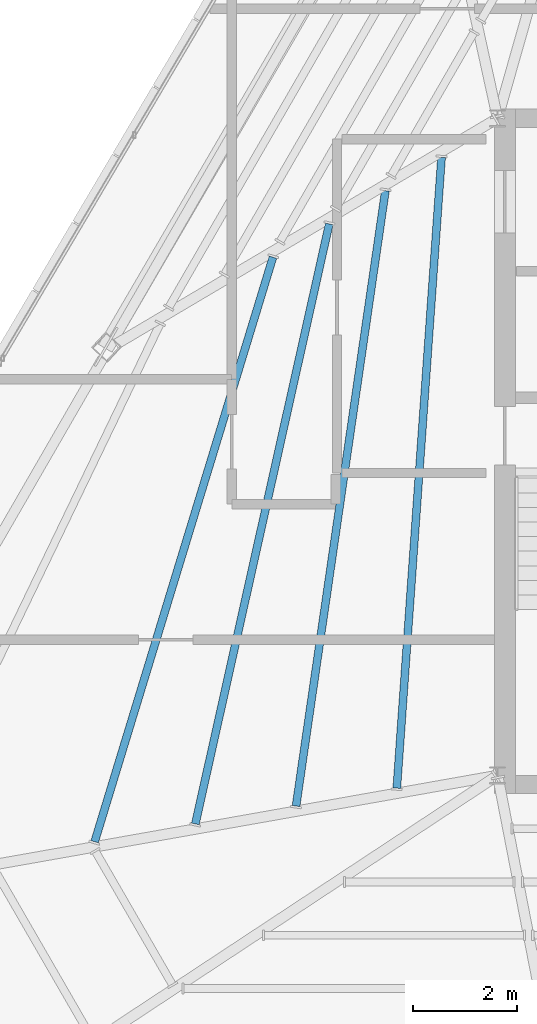
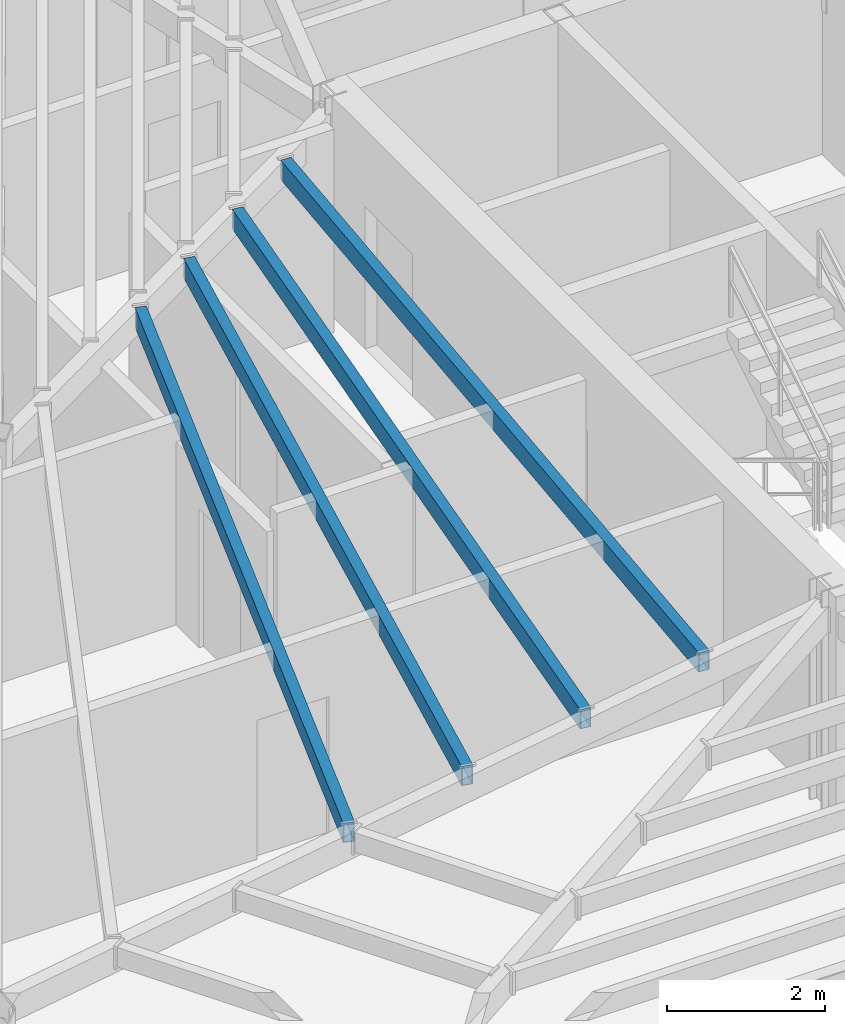
# One storey, part 10 of 48: 4 beams.
"""IFC4 building model written with IfcOpenShell, lengths in metres."""

from ifc_helpers import new_model, si_unit, direction, frame, origin, origin_2d, place, context, subcontext, project, spatial, hollow_rectangle, extrude, source, transform, mapped, material, material_profile, profile_set, type_object, type_shapes, element, save


model = new_model("IFC4")

# Units and contexts
model_context = context("Model", 3, precision=1e-05, world=origin(), true_north=direction((0.0, 1.0)))
body_context = subcontext(model_context, "Body", "Model", "MODEL_VIEW")
ifc_project = project(units=[si_unit("LENGTHUNIT", "METRE"), si_unit("AREAUNIT", "SQUARE_METRE"), si_unit("VOLUMEUNIT", "CUBIC_METRE"), si_unit("PLANEANGLEUNIT", "RADIAN"), si_unit("MASSUNIT", "GRAM", prefix="KILO")], contexts=[model_context])

# Site, building, storey
site_placement = place(None, origin())
site = spatial("IfcSite", under=ifc_project, at=site_placement, CompositionType="ELEMENT")
building_placement = place(site_placement, origin())
building = spatial("IfcBuilding", under=site, at=building_placement, Name="Caelisora Broadcast Tower", CompositionType="ELEMENT")
storey_placement = place(building_placement, frame((0.0, 0.0, 300.0)))
storey = spatial("IfcBuildingStorey", under=building, at=storey_placement, Name="L79", CompositionType="ELEMENT", Elevation=300.0)

# Beams
ifc_material = material(Name="Steel Grade 350 (AS/NZS 1163 C350L0)", Category="steel")
ifc_material_profile = material_profile(ifc_material, hollow_rectangle(XDim=0.14990234375, YDim=0.300048828125, WallThickness=0.010009765625, at=origin_2d()), Name="Steel Grade 350 (AS/NZS 1163 C350L0)")
ifc_profile_set = profile_set([ifc_material_profile], Name="Steel Grade 350 (AS/NZS 1163 C350L0)")
beam_type = type_object("IfcBeamType", Name="SB05", PredefinedType="JOIST", material=ifc_profile_set)
shared_shape_1 = source(origin(), body_context, "Body", "SweptSolid", [
    extrude(hollow_rectangle(XDim=0.14990234375, YDim=0.300048828125, WallThickness=0.010009765625, at=origin_2d()), origin(), (0.0, 0.0, 1.0), 12.124755859375),
])
beam_1_placement = place(storey_placement, frame((29.42529296875, 29.25048828125, 3.0), z_axis=(-0.070756225231, -0.997493637369, 0.0), x_axis=(0.997493637369, -0.070756225231, 0.0)))
element("IfcBeam", 1, at=beam_1_placement, inside=storey, type_object=beam_type, Name="L79 beam SB05", PredefinedType="JOIST", context=body_context, shape_type="MappedRepresentation", body=[
    mapped(shared_shape_1, transform((0.0, 0.0, 0.0), scale=1.0)),
])
shared_shape_2 = source(origin(), body_context, "Body", "SweptSolid", [
    extrude(hollow_rectangle(XDim=0.14990234375, YDim=0.300048828125, WallThickness=0.010009765625, at=origin_2d()), origin(), (0.0, 0.0, 1.0), 11.92333984375),
])
beam_2_placement = place(storey_placement, frame((28.349365234375, 28.61328125, 3.0), z_axis=(-0.143740056327, -0.989615478965, 0.0), x_axis=(0.989615478965, -0.143740056327, 0.0)))
element("IfcBeam", 2, at=beam_2_placement, inside=storey, type_object=beam_type, Name="L79 beam SB05", PredefinedType="JOIST", context=body_context, shape_type="MappedRepresentation", body=[
    mapped(shared_shape_2, transform((0.0, 0.0, 0.0), scale=1.0)),
])
shared_shape_3 = source(origin(), body_context, "Body", "SweptSolid", [
    extrude(hollow_rectangle(XDim=0.14990234375, YDim=0.300048828125, WallThickness=0.010009765625, at=origin_2d()), origin(), (0.0, 0.0, 1.0), 11.786865234375),
])
beam_3_placement = place(storey_placement, frame((27.271728515625, 27.975341796875, 3.0), z_axis=(-0.21781639133, -0.97598976412, 0.0), x_axis=(0.97598976412, -0.21781639133, 0.0)))
element("IfcBeam", 3, at=beam_3_placement, inside=storey, type_object=beam_type, Name="L79 beam SB05", PredefinedType="JOIST", context=body_context, shape_type="MappedRepresentation", body=[
    mapped(shared_shape_3, transform((0.0, 0.0, 0.0), scale=1.0)),
])
shared_shape_4 = source(origin(), body_context, "Body", "SweptSolid", [
    extrude(hollow_rectangle(XDim=0.14990234375, YDim=0.300048828125, WallThickness=0.010009765625, at=origin_2d()), origin(), (0.0, 0.0, 1.0), 11.716552734375),
])
type_shapes(beam_type, [shared_shape_1, shared_shape_2, shared_shape_3, shared_shape_4])
beam_4_placement = place(storey_placement, frame((26.1923828125, 27.336181640625, 3.0), z_axis=(-0.291781764437, -0.956484919872, 0.0), x_axis=(0.956484919872, -0.291781764437, 0.0)))
element("IfcBeam", 4, at=beam_4_placement, inside=storey, type_object=beam_type, Name="L79 beam SB05", PredefinedType="JOIST", context=body_context, shape_type="MappedRepresentation", body=[
    mapped(shared_shape_4, transform((0.0, 0.0, 0.0), scale=1.0)),
])

save(model, "model.ifc")
